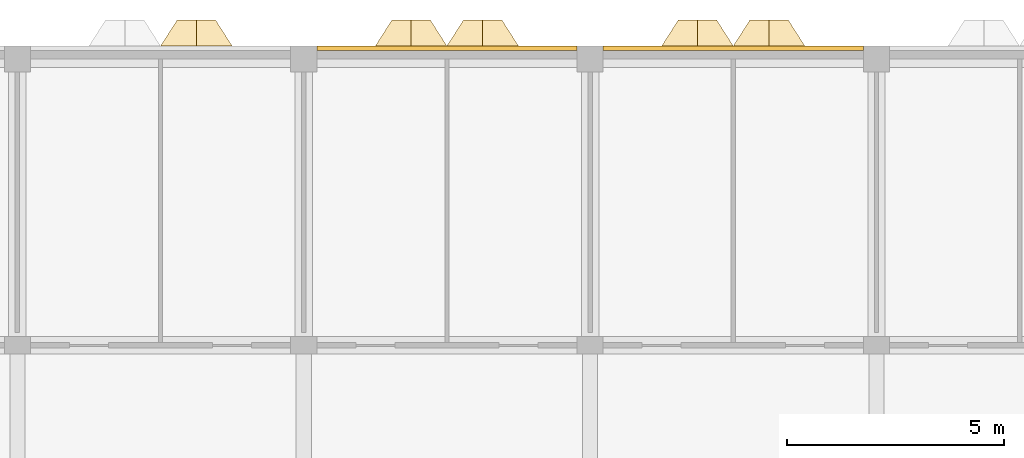
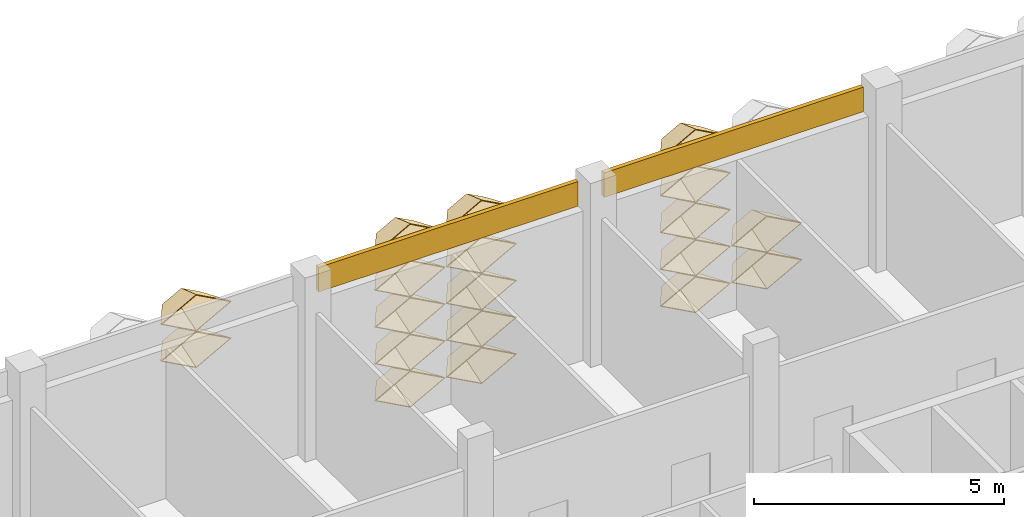
# One storey, part 80 of 87: 21 coverings.
"""IFC4 building model written with IfcOpenShell, lengths in metres."""

from ifc_helpers import new_model, entity, si_unit, direction, frame, frame_2d, origin, place, context, subcontext, project, spatial, rectangle, extrude, material, layer, layer_set, type_object, element, save


model = new_model("IFC4")

# Units and contexts
model_context = context("Model", 3, precision=1e-05, world=origin(), true_north=direction((0.0, 1.0)))
body_context = subcontext(model_context, "Body", "Model", "MODEL_VIEW")
ifc_project = project(units=[si_unit("LENGTHUNIT", "METRE"), si_unit("AREAUNIT", "SQUARE_METRE"), si_unit("VOLUMEUNIT", "CUBIC_METRE"), si_unit("PLANEANGLEUNIT", "RADIAN"), si_unit("MASSUNIT", "GRAM", prefix="KILO")], contexts=[model_context])

# Site, building, storey
site_placement = place(None, origin())
site = spatial("IfcSite", under=ifc_project, at=site_placement, CompositionType="ELEMENT")
building_placement = place(site_placement, origin())
building = spatial("IfcBuilding", under=site, at=building_placement, Name="Lantern Court Research Institute", CompositionType="ELEMENT")
storey_placement = place(building_placement, frame((0.0, 0.0, 5.39990234375)))
storey = spatial("IfcBuildingStorey", under=building, at=storey_placement, Name="L01", CompositionType="ELEMENT", Elevation=5.39990234375)

# Coverings
ifc_material_1 = material(Name="Aluminium composite panel with mineral wool insulation", Category="aluminium")
ifc_layer_1 = layer(ifc_material_1, 0.10009765625)
ifc_layer_set_1 = layer_set([ifc_layer_1], Name="Aluminium composite panel with mineral wool insulation")
covering_type_1 = type_object("IfcCoveringType", Name="Edge fascia panel 100 aluminium faced", PredefinedType="CLADDING", material=ifc_layer_set_1)
for number, where, z_axis, x_axis, name in (
    (1, (33.300048828125, 99.25, 3.650146484375), (0.0, 0.0, 1.0), (1.0, 0.0, 0.0), "Edge fascia V6N L01 05"),
    (2, (39.89990234375, 99.25, 3.650146484375), (0.0, 0.0, 1.0), (1.0, 0.0, 0.0), "Edge fascia V6N L01 06"),
):
    element("IfcCovering", number, at=place(storey_placement, frame(where, z_axis=z_axis, x_axis=x_axis)), inside=storey, type_object=covering_type_1, Name=name, PredefinedType="CLADDING", context=body_context, shape_type="SweptSolid", body=[
        extrude(rectangle(XDim=6.0, YDim=0.10009765625, at=frame_2d((3.0, 0.0))), origin(), (0.0, 0.0, 1.0), 0.599853515625),
    ])
ifc_material_2 = material(Name="Anodised aluminium", Category="aluminium")
ifc_layer_2 = layer(ifc_material_2, 0.01611328125)
ifc_layer_set_2 = layer_set([ifc_layer_2], Name="Anodised aluminium")
covering_type_2 = type_object("IfcCoveringType", Name="Fin cassette 1650 x 900 x 600 aluminium", PredefinedType="CLADDING", material=ifc_layer_set_2)
covering_1_placement = place(storey_placement, frame((35.47509765625, 99.300048828125, 0.4501953125), z_axis=(0.0, 1.0, 0.0), x_axis=(-1.0, 0.0, 0.0)))
cartesian_point_1 = entity("IfcCartesianPoint", [0.824951171875, 0.0])
cartesian_point_2 = entity("IfcCartesianPoint", [0.79150390625, 0.0])
cartesian_point_3 = entity("IfcCartesianPoint", [0.44189453125, 0.0])
cartesian_point_4 = entity("IfcCartesianPoint", [0.43359375, 0.0])
element("IfcCovering", 3, at=covering_1_placement, inside=storey, type_object=covering_type_2, Name="Fin cassette V6N-L01 1.22", PredefinedType="CLADDING", context=body_context, shape_type="SweptSolid", body=[
    entity("IfcExtrudedAreaSolidTapered", entity("IfcArbitraryProfileDefWithVoids", "AREA", None, entity("IfcPolyline", [cartesian_point_1, entity("IfcCartesianPoint", [0.0, 0.449951171875]), entity("IfcCartesianPoint", [-0.824951171875, 0.0]), entity("IfcCartesianPoint", [0.0, -0.449951171875]), cartesian_point_1]), [entity("IfcPolyline", [cartesian_point_2, entity("IfcCartesianPoint", [0.0, 0.431884765625]), entity("IfcCartesianPoint", [-0.79150390625, 0.0]), entity("IfcCartesianPoint", [0.0, -0.431884765625]), cartesian_point_2])]), entity("IfcAxis2Placement3D", entity("IfcCartesianPoint", [0.0, 0.0, 0.0])), entity("IfcDirection", [0.0, 0.0, 1.0]), 0.60009765625, entity("IfcArbitraryProfileDefWithVoids", "AREA", None, entity("IfcPolyline", [cartesian_point_3, entity("IfcCartesianPoint", [0.0, 0.240966796875]), entity("IfcCartesianPoint", [-0.44189453125, 0.0]), entity("IfcCartesianPoint", [0.0, -0.240966796875]), cartesian_point_3]), [entity("IfcPolyline", [cartesian_point_4, entity("IfcCartesianPoint", [0.0, 0.236572265625]), entity("IfcCartesianPoint", [-0.43359375, 0.0]), entity("IfcCartesianPoint", [0.0, -0.236572265625]), cartesian_point_4])])),
])
covering_2_placement = place(storey_placement, frame((37.125, 99.300048828125, 0.4501953125), z_axis=(0.0, 1.0, 0.0), x_axis=(-1.0, 0.0, 0.0)))
cartesian_point_5 = entity("IfcCartesianPoint", [0.824951171875, 0.0])
cartesian_point_6 = entity("IfcCartesianPoint", [0.79150390625, 0.0])
cartesian_point_7 = entity("IfcCartesianPoint", [0.44189453125, 0.0])
cartesian_point_8 = entity("IfcCartesianPoint", [0.43359375, 0.0])
element("IfcCovering", 4, at=covering_2_placement, inside=storey, type_object=covering_type_2, Name="Fin cassette V6N-L01 1.23", PredefinedType="CLADDING", context=body_context, shape_type="SweptSolid", body=[
    entity("IfcExtrudedAreaSolidTapered", entity("IfcArbitraryProfileDefWithVoids", "AREA", None, entity("IfcPolyline", [cartesian_point_5, entity("IfcCartesianPoint", [0.0, 0.449951171875]), entity("IfcCartesianPoint", [-0.824951171875, 0.0]), entity("IfcCartesianPoint", [0.0, -0.449951171875]), cartesian_point_5]), [entity("IfcPolyline", [cartesian_point_6, entity("IfcCartesianPoint", [0.0, 0.431884765625]), entity("IfcCartesianPoint", [-0.79150390625, 0.0]), entity("IfcCartesianPoint", [0.0, -0.431884765625]), cartesian_point_6])]), entity("IfcAxis2Placement3D", entity("IfcCartesianPoint", [0.0, 0.0, 0.0])), entity("IfcDirection", [0.0, 0.0, 1.0]), 0.60009765625, entity("IfcArbitraryProfileDefWithVoids", "AREA", None, entity("IfcPolyline", [cartesian_point_7, entity("IfcCartesianPoint", [0.0, 0.240966796875]), entity("IfcCartesianPoint", [-0.44189453125, 0.0]), entity("IfcCartesianPoint", [0.0, -0.240966796875]), cartesian_point_7]), [entity("IfcPolyline", [cartesian_point_8, entity("IfcCartesianPoint", [0.0, 0.236572265625]), entity("IfcCartesianPoint", [-0.43359375, 0.0]), entity("IfcCartesianPoint", [0.0, -0.236572265625]), cartesian_point_8])])),
])
covering_3_placement = place(storey_placement, frame((42.074951171875, 99.300048828125, 0.4501953125), z_axis=(0.0, 1.0, 0.0), x_axis=(-1.0, 0.0, 0.0)))
cartesian_point_9 = entity("IfcCartesianPoint", [0.824951171875, 0.0])
cartesian_point_10 = entity("IfcCartesianPoint", [0.79150390625, 0.0])
cartesian_point_11 = entity("IfcCartesianPoint", [0.44189453125, 0.0])
cartesian_point_12 = entity("IfcCartesianPoint", [0.43359375, 0.0])
element("IfcCovering", 5, at=covering_3_placement, inside=storey, type_object=covering_type_2, Name="Fin cassette V6N-L01 1.26", PredefinedType="CLADDING", context=body_context, shape_type="SweptSolid", body=[
    entity("IfcExtrudedAreaSolidTapered", entity("IfcArbitraryProfileDefWithVoids", "AREA", None, entity("IfcPolyline", [cartesian_point_9, entity("IfcCartesianPoint", [0.0, 0.449951171875]), entity("IfcCartesianPoint", [-0.824951171875, 0.0]), entity("IfcCartesianPoint", [0.0, -0.449951171875]), cartesian_point_9]), [entity("IfcPolyline", [cartesian_point_10, entity("IfcCartesianPoint", [0.0, 0.431884765625]), entity("IfcCartesianPoint", [-0.79150390625, 0.0]), entity("IfcCartesianPoint", [0.0, -0.431884765625]), cartesian_point_10])]), entity("IfcAxis2Placement3D", entity("IfcCartesianPoint", [0.0, 0.0, 0.0])), entity("IfcDirection", [0.0, 0.0, 1.0]), 0.60009765625, entity("IfcArbitraryProfileDefWithVoids", "AREA", None, entity("IfcPolyline", [cartesian_point_11, entity("IfcCartesianPoint", [0.0, 0.240966796875]), entity("IfcCartesianPoint", [-0.44189453125, 0.0]), entity("IfcCartesianPoint", [0.0, -0.240966796875]), cartesian_point_11]), [entity("IfcPolyline", [cartesian_point_12, entity("IfcCartesianPoint", [0.0, 0.236572265625]), entity("IfcCartesianPoint", [-0.43359375, 0.0]), entity("IfcCartesianPoint", [0.0, -0.236572265625]), cartesian_point_12])])),
])
covering_4_placement = place(storey_placement, frame((43.72509765625, 99.300048828125, 0.4501953125), z_axis=(0.0, 1.0, 0.0), x_axis=(-1.0, 0.0, 0.0)))
cartesian_point_13 = entity("IfcCartesianPoint", [0.824951171875, 0.0])
cartesian_point_14 = entity("IfcCartesianPoint", [0.79150390625, 0.0])
cartesian_point_15 = entity("IfcCartesianPoint", [0.44189453125, 0.0])
cartesian_point_16 = entity("IfcCartesianPoint", [0.43359375, 0.0])
element("IfcCovering", 6, at=covering_4_placement, inside=storey, type_object=covering_type_2, Name="Fin cassette V6N-L01 1.27", PredefinedType="CLADDING", context=body_context, shape_type="SweptSolid", body=[
    entity("IfcExtrudedAreaSolidTapered", entity("IfcArbitraryProfileDefWithVoids", "AREA", None, entity("IfcPolyline", [cartesian_point_13, entity("IfcCartesianPoint", [0.0, 0.449951171875]), entity("IfcCartesianPoint", [-0.824951171875, 0.0]), entity("IfcCartesianPoint", [0.0, -0.449951171875]), cartesian_point_13]), [entity("IfcPolyline", [cartesian_point_14, entity("IfcCartesianPoint", [0.0, 0.431884765625]), entity("IfcCartesianPoint", [-0.79150390625, 0.0]), entity("IfcCartesianPoint", [0.0, -0.431884765625]), cartesian_point_14])]), entity("IfcAxis2Placement3D", entity("IfcCartesianPoint", [0.0, 0.0, 0.0])), entity("IfcDirection", [0.0, 0.0, 1.0]), 0.60009765625, entity("IfcArbitraryProfileDefWithVoids", "AREA", None, entity("IfcPolyline", [cartesian_point_15, entity("IfcCartesianPoint", [0.0, 0.240966796875]), entity("IfcCartesianPoint", [-0.44189453125, 0.0]), entity("IfcCartesianPoint", [0.0, -0.240966796875]), cartesian_point_15]), [entity("IfcPolyline", [cartesian_point_16, entity("IfcCartesianPoint", [0.0, 0.236572265625]), entity("IfcCartesianPoint", [-0.43359375, 0.0]), entity("IfcCartesianPoint", [0.0, -0.236572265625]), cartesian_point_16])])),
])
covering_5_placement = place(storey_placement, frame((35.47509765625, 99.300048828125, 1.35009765625), z_axis=(0.0, 1.0, 0.0), x_axis=(-1.0, 0.0, 0.0)))
cartesian_point_17 = entity("IfcCartesianPoint", [0.824951171875, 0.0])
cartesian_point_18 = entity("IfcCartesianPoint", [0.79150390625, 0.0])
cartesian_point_19 = entity("IfcCartesianPoint", [0.44189453125, 0.0])
cartesian_point_20 = entity("IfcCartesianPoint", [0.43359375, 0.0])
element("IfcCovering", 7, at=covering_5_placement, inside=storey, type_object=covering_type_2, Name="Fin cassette V6N-L01 2.22", PredefinedType="CLADDING", context=body_context, shape_type="SweptSolid", body=[
    entity("IfcExtrudedAreaSolidTapered", entity("IfcArbitraryProfileDefWithVoids", "AREA", None, entity("IfcPolyline", [cartesian_point_17, entity("IfcCartesianPoint", [0.0, 0.449951171875]), entity("IfcCartesianPoint", [-0.824951171875, 0.0]), entity("IfcCartesianPoint", [0.0, -0.449951171875]), cartesian_point_17]), [entity("IfcPolyline", [cartesian_point_18, entity("IfcCartesianPoint", [0.0, 0.431884765625]), entity("IfcCartesianPoint", [-0.79150390625, 0.0]), entity("IfcCartesianPoint", [0.0, -0.431884765625]), cartesian_point_18])]), entity("IfcAxis2Placement3D", entity("IfcCartesianPoint", [0.0, 0.0, 0.0])), entity("IfcDirection", [0.0, 0.0, 1.0]), 0.60009765625, entity("IfcArbitraryProfileDefWithVoids", "AREA", None, entity("IfcPolyline", [cartesian_point_19, entity("IfcCartesianPoint", [0.0, 0.240966796875]), entity("IfcCartesianPoint", [-0.44189453125, 0.0]), entity("IfcCartesianPoint", [0.0, -0.240966796875]), cartesian_point_19]), [entity("IfcPolyline", [cartesian_point_20, entity("IfcCartesianPoint", [0.0, 0.236572265625]), entity("IfcCartesianPoint", [-0.43359375, 0.0]), entity("IfcCartesianPoint", [0.0, -0.236572265625]), cartesian_point_20])])),
])
covering_6_placement = place(storey_placement, frame((37.125, 99.300048828125, 1.35009765625), z_axis=(0.0, 1.0, 0.0), x_axis=(-1.0, 0.0, 0.0)))
cartesian_point_21 = entity("IfcCartesianPoint", [0.824951171875, 0.0])
cartesian_point_22 = entity("IfcCartesianPoint", [0.79150390625, 0.0])
cartesian_point_23 = entity("IfcCartesianPoint", [0.44189453125, 0.0])
cartesian_point_24 = entity("IfcCartesianPoint", [0.43359375, 0.0])
element("IfcCovering", 8, at=covering_6_placement, inside=storey, type_object=covering_type_2, Name="Fin cassette V6N-L01 2.23", PredefinedType="CLADDING", context=body_context, shape_type="SweptSolid", body=[
    entity("IfcExtrudedAreaSolidTapered", entity("IfcArbitraryProfileDefWithVoids", "AREA", None, entity("IfcPolyline", [cartesian_point_21, entity("IfcCartesianPoint", [0.0, 0.449951171875]), entity("IfcCartesianPoint", [-0.824951171875, 0.0]), entity("IfcCartesianPoint", [0.0, -0.449951171875]), cartesian_point_21]), [entity("IfcPolyline", [cartesian_point_22, entity("IfcCartesianPoint", [0.0, 0.431884765625]), entity("IfcCartesianPoint", [-0.79150390625, 0.0]), entity("IfcCartesianPoint", [0.0, -0.431884765625]), cartesian_point_22])]), entity("IfcAxis2Placement3D", entity("IfcCartesianPoint", [0.0, 0.0, 0.0])), entity("IfcDirection", [0.0, 0.0, 1.0]), 0.60009765625, entity("IfcArbitraryProfileDefWithVoids", "AREA", None, entity("IfcPolyline", [cartesian_point_23, entity("IfcCartesianPoint", [0.0, 0.240966796875]), entity("IfcCartesianPoint", [-0.44189453125, 0.0]), entity("IfcCartesianPoint", [0.0, -0.240966796875]), cartesian_point_23]), [entity("IfcPolyline", [cartesian_point_24, entity("IfcCartesianPoint", [0.0, 0.236572265625]), entity("IfcCartesianPoint", [-0.43359375, 0.0]), entity("IfcCartesianPoint", [0.0, -0.236572265625]), cartesian_point_24])])),
])
covering_7_placement = place(storey_placement, frame((42.074951171875, 99.300048828125, 1.35009765625), z_axis=(0.0, 1.0, 0.0), x_axis=(-1.0, 0.0, 0.0)))
cartesian_point_25 = entity("IfcCartesianPoint", [0.824951171875, 0.0])
cartesian_point_26 = entity("IfcCartesianPoint", [0.79150390625, 0.0])
cartesian_point_27 = entity("IfcCartesianPoint", [0.44189453125, 0.0])
cartesian_point_28 = entity("IfcCartesianPoint", [0.43359375, 0.0])
element("IfcCovering", 9, at=covering_7_placement, inside=storey, type_object=covering_type_2, Name="Fin cassette V6N-L01 2.26", PredefinedType="CLADDING", context=body_context, shape_type="SweptSolid", body=[
    entity("IfcExtrudedAreaSolidTapered", entity("IfcArbitraryProfileDefWithVoids", "AREA", None, entity("IfcPolyline", [cartesian_point_25, entity("IfcCartesianPoint", [0.0, 0.449951171875]), entity("IfcCartesianPoint", [-0.824951171875, 0.0]), entity("IfcCartesianPoint", [0.0, -0.449951171875]), cartesian_point_25]), [entity("IfcPolyline", [cartesian_point_26, entity("IfcCartesianPoint", [0.0, 0.431884765625]), entity("IfcCartesianPoint", [-0.79150390625, 0.0]), entity("IfcCartesianPoint", [0.0, -0.431884765625]), cartesian_point_26])]), entity("IfcAxis2Placement3D", entity("IfcCartesianPoint", [0.0, 0.0, 0.0])), entity("IfcDirection", [0.0, 0.0, 1.0]), 0.60009765625, entity("IfcArbitraryProfileDefWithVoids", "AREA", None, entity("IfcPolyline", [cartesian_point_27, entity("IfcCartesianPoint", [0.0, 0.240966796875]), entity("IfcCartesianPoint", [-0.44189453125, 0.0]), entity("IfcCartesianPoint", [0.0, -0.240966796875]), cartesian_point_27]), [entity("IfcPolyline", [cartesian_point_28, entity("IfcCartesianPoint", [0.0, 0.236572265625]), entity("IfcCartesianPoint", [-0.43359375, 0.0]), entity("IfcCartesianPoint", [0.0, -0.236572265625]), cartesian_point_28])])),
])
covering_8_placement = place(storey_placement, frame((43.72509765625, 99.300048828125, 1.35009765625), z_axis=(0.0, 1.0, 0.0), x_axis=(-1.0, 0.0, 0.0)))
cartesian_point_29 = entity("IfcCartesianPoint", [0.824951171875, 0.0])
cartesian_point_30 = entity("IfcCartesianPoint", [0.79150390625, 0.0])
cartesian_point_31 = entity("IfcCartesianPoint", [0.44189453125, 0.0])
cartesian_point_32 = entity("IfcCartesianPoint", [0.43359375, 0.0])
element("IfcCovering", 10, at=covering_8_placement, inside=storey, type_object=covering_type_2, Name="Fin cassette V6N-L01 2.27", PredefinedType="CLADDING", context=body_context, shape_type="SweptSolid", body=[
    entity("IfcExtrudedAreaSolidTapered", entity("IfcArbitraryProfileDefWithVoids", "AREA", None, entity("IfcPolyline", [cartesian_point_29, entity("IfcCartesianPoint", [0.0, 0.449951171875]), entity("IfcCartesianPoint", [-0.824951171875, 0.0]), entity("IfcCartesianPoint", [0.0, -0.449951171875]), cartesian_point_29]), [entity("IfcPolyline", [cartesian_point_30, entity("IfcCartesianPoint", [0.0, 0.431884765625]), entity("IfcCartesianPoint", [-0.79150390625, 0.0]), entity("IfcCartesianPoint", [0.0, -0.431884765625]), cartesian_point_30])]), entity("IfcAxis2Placement3D", entity("IfcCartesianPoint", [0.0, 0.0, 0.0])), entity("IfcDirection", [0.0, 0.0, 1.0]), 0.60009765625, entity("IfcArbitraryProfileDefWithVoids", "AREA", None, entity("IfcPolyline", [cartesian_point_31, entity("IfcCartesianPoint", [0.0, 0.240966796875]), entity("IfcCartesianPoint", [-0.44189453125, 0.0]), entity("IfcCartesianPoint", [0.0, -0.240966796875]), cartesian_point_31]), [entity("IfcPolyline", [cartesian_point_32, entity("IfcCartesianPoint", [0.0, 0.236572265625]), entity("IfcCartesianPoint", [-0.43359375, 0.0]), entity("IfcCartesianPoint", [0.0, -0.236572265625]), cartesian_point_32])])),
])
covering_9_placement = place(storey_placement, frame((35.47509765625, 99.300048828125, 2.25), z_axis=(0.0, 1.0, 0.0), x_axis=(-1.0, 0.0, 0.0)))
cartesian_point_33 = entity("IfcCartesianPoint", [0.824951171875, 0.0])
cartesian_point_34 = entity("IfcCartesianPoint", [0.79150390625, 0.0])
cartesian_point_35 = entity("IfcCartesianPoint", [0.44189453125, 0.0])
cartesian_point_36 = entity("IfcCartesianPoint", [0.43359375, 0.0])
element("IfcCovering", 11, at=covering_9_placement, inside=storey, type_object=covering_type_2, Name="Fin cassette V6N-L01 3.22", PredefinedType="CLADDING", context=body_context, shape_type="SweptSolid", body=[
    entity("IfcExtrudedAreaSolidTapered", entity("IfcArbitraryProfileDefWithVoids", "AREA", None, entity("IfcPolyline", [cartesian_point_33, entity("IfcCartesianPoint", [0.0, 0.449951171875]), entity("IfcCartesianPoint", [-0.824951171875, 0.0]), entity("IfcCartesianPoint", [0.0, -0.449951171875]), cartesian_point_33]), [entity("IfcPolyline", [cartesian_point_34, entity("IfcCartesianPoint", [0.0, 0.431884765625]), entity("IfcCartesianPoint", [-0.79150390625, 0.0]), entity("IfcCartesianPoint", [0.0, -0.431884765625]), cartesian_point_34])]), entity("IfcAxis2Placement3D", entity("IfcCartesianPoint", [0.0, 0.0, 0.0])), entity("IfcDirection", [0.0, 0.0, 1.0]), 0.60009765625, entity("IfcArbitraryProfileDefWithVoids", "AREA", None, entity("IfcPolyline", [cartesian_point_35, entity("IfcCartesianPoint", [0.0, 0.240966796875]), entity("IfcCartesianPoint", [-0.44189453125, 0.0]), entity("IfcCartesianPoint", [0.0, -0.240966796875]), cartesian_point_35]), [entity("IfcPolyline", [cartesian_point_36, entity("IfcCartesianPoint", [0.0, 0.236572265625]), entity("IfcCartesianPoint", [-0.43359375, 0.0]), entity("IfcCartesianPoint", [0.0, -0.236572265625]), cartesian_point_36])])),
])
covering_10_placement = place(storey_placement, frame((37.125, 99.300048828125, 2.25), z_axis=(0.0, 1.0, 0.0), x_axis=(-1.0, 0.0, 0.0)))
cartesian_point_37 = entity("IfcCartesianPoint", [0.824951171875, 0.0])
cartesian_point_38 = entity("IfcCartesianPoint", [0.79150390625, 0.0])
cartesian_point_39 = entity("IfcCartesianPoint", [0.44189453125, 0.0])
cartesian_point_40 = entity("IfcCartesianPoint", [0.43359375, 0.0])
element("IfcCovering", 12, at=covering_10_placement, inside=storey, type_object=covering_type_2, Name="Fin cassette V6N-L01 3.23", PredefinedType="CLADDING", context=body_context, shape_type="SweptSolid", body=[
    entity("IfcExtrudedAreaSolidTapered", entity("IfcArbitraryProfileDefWithVoids", "AREA", None, entity("IfcPolyline", [cartesian_point_37, entity("IfcCartesianPoint", [0.0, 0.449951171875]), entity("IfcCartesianPoint", [-0.824951171875, 0.0]), entity("IfcCartesianPoint", [0.0, -0.449951171875]), cartesian_point_37]), [entity("IfcPolyline", [cartesian_point_38, entity("IfcCartesianPoint", [0.0, 0.431884765625]), entity("IfcCartesianPoint", [-0.79150390625, 0.0]), entity("IfcCartesianPoint", [0.0, -0.431884765625]), cartesian_point_38])]), entity("IfcAxis2Placement3D", entity("IfcCartesianPoint", [0.0, 0.0, 0.0])), entity("IfcDirection", [0.0, 0.0, 1.0]), 0.60009765625, entity("IfcArbitraryProfileDefWithVoids", "AREA", None, entity("IfcPolyline", [cartesian_point_39, entity("IfcCartesianPoint", [0.0, 0.240966796875]), entity("IfcCartesianPoint", [-0.44189453125, 0.0]), entity("IfcCartesianPoint", [0.0, -0.240966796875]), cartesian_point_39]), [entity("IfcPolyline", [cartesian_point_40, entity("IfcCartesianPoint", [0.0, 0.236572265625]), entity("IfcCartesianPoint", [-0.43359375, 0.0]), entity("IfcCartesianPoint", [0.0, -0.236572265625]), cartesian_point_40])])),
])
covering_11_placement = place(storey_placement, frame((42.074951171875, 99.300048828125, 2.25), z_axis=(0.0, 1.0, 0.0), x_axis=(-1.0, 0.0, 0.0)))
cartesian_point_41 = entity("IfcCartesianPoint", [0.824951171875, 0.0])
cartesian_point_42 = entity("IfcCartesianPoint", [0.79150390625, 0.0])
cartesian_point_43 = entity("IfcCartesianPoint", [0.44189453125, 0.0])
cartesian_point_44 = entity("IfcCartesianPoint", [0.43359375, 0.0])
element("IfcCovering", 13, at=covering_11_placement, inside=storey, type_object=covering_type_2, Name="Fin cassette V6N-L01 3.26", PredefinedType="CLADDING", context=body_context, shape_type="SweptSolid", body=[
    entity("IfcExtrudedAreaSolidTapered", entity("IfcArbitraryProfileDefWithVoids", "AREA", None, entity("IfcPolyline", [cartesian_point_41, entity("IfcCartesianPoint", [0.0, 0.449951171875]), entity("IfcCartesianPoint", [-0.824951171875, 0.0]), entity("IfcCartesianPoint", [0.0, -0.449951171875]), cartesian_point_41]), [entity("IfcPolyline", [cartesian_point_42, entity("IfcCartesianPoint", [0.0, 0.431884765625]), entity("IfcCartesianPoint", [-0.79150390625, 0.0]), entity("IfcCartesianPoint", [0.0, -0.431884765625]), cartesian_point_42])]), entity("IfcAxis2Placement3D", entity("IfcCartesianPoint", [0.0, 0.0, 0.0])), entity("IfcDirection", [0.0, 0.0, 1.0]), 0.60009765625, entity("IfcArbitraryProfileDefWithVoids", "AREA", None, entity("IfcPolyline", [cartesian_point_43, entity("IfcCartesianPoint", [0.0, 0.240966796875]), entity("IfcCartesianPoint", [-0.44189453125, 0.0]), entity("IfcCartesianPoint", [0.0, -0.240966796875]), cartesian_point_43]), [entity("IfcPolyline", [cartesian_point_44, entity("IfcCartesianPoint", [0.0, 0.236572265625]), entity("IfcCartesianPoint", [-0.43359375, 0.0]), entity("IfcCartesianPoint", [0.0, -0.236572265625]), cartesian_point_44])])),
])
covering_12_placement = place(storey_placement, frame((30.52490234375, 99.300048828125, 3.150146484375), z_axis=(0.0, 1.0, 0.0), x_axis=(-1.0, 0.0, 0.0)))
cartesian_point_45 = entity("IfcCartesianPoint", [0.824951171875, 0.0])
cartesian_point_46 = entity("IfcCartesianPoint", [0.79150390625, 0.0])
cartesian_point_47 = entity("IfcCartesianPoint", [0.44189453125, 0.0])
cartesian_point_48 = entity("IfcCartesianPoint", [0.43359375, 0.0])
element("IfcCovering", 14, at=covering_12_placement, inside=storey, type_object=covering_type_2, Name="Fin cassette V6N-L01 4.19", PredefinedType="CLADDING", context=body_context, shape_type="SweptSolid", body=[
    entity("IfcExtrudedAreaSolidTapered", entity("IfcArbitraryProfileDefWithVoids", "AREA", None, entity("IfcPolyline", [cartesian_point_45, entity("IfcCartesianPoint", [0.0, 0.449951171875]), entity("IfcCartesianPoint", [-0.824951171875, 0.0]), entity("IfcCartesianPoint", [0.0, -0.449951171875]), cartesian_point_45]), [entity("IfcPolyline", [cartesian_point_46, entity("IfcCartesianPoint", [0.0, 0.431884765625]), entity("IfcCartesianPoint", [-0.79150390625, 0.0]), entity("IfcCartesianPoint", [0.0, -0.431884765625]), cartesian_point_46])]), entity("IfcAxis2Placement3D", entity("IfcCartesianPoint", [0.0, 0.0, 0.0])), entity("IfcDirection", [0.0, 0.0, 1.0]), 0.60009765625, entity("IfcArbitraryProfileDefWithVoids", "AREA", None, entity("IfcPolyline", [cartesian_point_47, entity("IfcCartesianPoint", [0.0, 0.240966796875]), entity("IfcCartesianPoint", [-0.44189453125, 0.0]), entity("IfcCartesianPoint", [0.0, -0.240966796875]), cartesian_point_47]), [entity("IfcPolyline", [cartesian_point_48, entity("IfcCartesianPoint", [0.0, 0.236572265625]), entity("IfcCartesianPoint", [-0.43359375, 0.0]), entity("IfcCartesianPoint", [0.0, -0.236572265625]), cartesian_point_48])])),
])
covering_13_placement = place(storey_placement, frame((35.47509765625, 99.300048828125, 3.150146484375), z_axis=(0.0, 1.0, 0.0), x_axis=(-1.0, 0.0, 0.0)))
cartesian_point_49 = entity("IfcCartesianPoint", [0.824951171875, 0.0])
cartesian_point_50 = entity("IfcCartesianPoint", [0.79150390625, 0.0])
cartesian_point_51 = entity("IfcCartesianPoint", [0.44189453125, 0.0])
cartesian_point_52 = entity("IfcCartesianPoint", [0.43359375, 0.0])
element("IfcCovering", 15, at=covering_13_placement, inside=storey, type_object=covering_type_2, Name="Fin cassette V6N-L01 4.22", PredefinedType="CLADDING", context=body_context, shape_type="SweptSolid", body=[
    entity("IfcExtrudedAreaSolidTapered", entity("IfcArbitraryProfileDefWithVoids", "AREA", None, entity("IfcPolyline", [cartesian_point_49, entity("IfcCartesianPoint", [0.0, 0.449951171875]), entity("IfcCartesianPoint", [-0.824951171875, 0.0]), entity("IfcCartesianPoint", [0.0, -0.449951171875]), cartesian_point_49]), [entity("IfcPolyline", [cartesian_point_50, entity("IfcCartesianPoint", [0.0, 0.431884765625]), entity("IfcCartesianPoint", [-0.79150390625, 0.0]), entity("IfcCartesianPoint", [0.0, -0.431884765625]), cartesian_point_50])]), entity("IfcAxis2Placement3D", entity("IfcCartesianPoint", [0.0, 0.0, 0.0])), entity("IfcDirection", [0.0, 0.0, 1.0]), 0.60009765625, entity("IfcArbitraryProfileDefWithVoids", "AREA", None, entity("IfcPolyline", [cartesian_point_51, entity("IfcCartesianPoint", [0.0, 0.240966796875]), entity("IfcCartesianPoint", [-0.44189453125, 0.0]), entity("IfcCartesianPoint", [0.0, -0.240966796875]), cartesian_point_51]), [entity("IfcPolyline", [cartesian_point_52, entity("IfcCartesianPoint", [0.0, 0.236572265625]), entity("IfcCartesianPoint", [-0.43359375, 0.0]), entity("IfcCartesianPoint", [0.0, -0.236572265625]), cartesian_point_52])])),
])
covering_14_placement = place(storey_placement, frame((37.125, 99.300048828125, 3.150146484375), z_axis=(0.0, 1.0, 0.0), x_axis=(-1.0, 0.0, 0.0)))
cartesian_point_53 = entity("IfcCartesianPoint", [0.824951171875, 0.0])
cartesian_point_54 = entity("IfcCartesianPoint", [0.79150390625, 0.0])
cartesian_point_55 = entity("IfcCartesianPoint", [0.44189453125, 0.0])
cartesian_point_56 = entity("IfcCartesianPoint", [0.43359375, 0.0])
element("IfcCovering", 16, at=covering_14_placement, inside=storey, type_object=covering_type_2, Name="Fin cassette V6N-L01 4.23", PredefinedType="CLADDING", context=body_context, shape_type="SweptSolid", body=[
    entity("IfcExtrudedAreaSolidTapered", entity("IfcArbitraryProfileDefWithVoids", "AREA", None, entity("IfcPolyline", [cartesian_point_53, entity("IfcCartesianPoint", [0.0, 0.449951171875]), entity("IfcCartesianPoint", [-0.824951171875, 0.0]), entity("IfcCartesianPoint", [0.0, -0.449951171875]), cartesian_point_53]), [entity("IfcPolyline", [cartesian_point_54, entity("IfcCartesianPoint", [0.0, 0.431884765625]), entity("IfcCartesianPoint", [-0.79150390625, 0.0]), entity("IfcCartesianPoint", [0.0, -0.431884765625]), cartesian_point_54])]), entity("IfcAxis2Placement3D", entity("IfcCartesianPoint", [0.0, 0.0, 0.0])), entity("IfcDirection", [0.0, 0.0, 1.0]), 0.60009765625, entity("IfcArbitraryProfileDefWithVoids", "AREA", None, entity("IfcPolyline", [cartesian_point_55, entity("IfcCartesianPoint", [0.0, 0.240966796875]), entity("IfcCartesianPoint", [-0.44189453125, 0.0]), entity("IfcCartesianPoint", [0.0, -0.240966796875]), cartesian_point_55]), [entity("IfcPolyline", [cartesian_point_56, entity("IfcCartesianPoint", [0.0, 0.236572265625]), entity("IfcCartesianPoint", [-0.43359375, 0.0]), entity("IfcCartesianPoint", [0.0, -0.236572265625]), cartesian_point_56])])),
])
covering_15_placement = place(storey_placement, frame((42.074951171875, 99.300048828125, 3.150146484375), z_axis=(0.0, 1.0, 0.0), x_axis=(-1.0, 0.0, 0.0)))
cartesian_point_57 = entity("IfcCartesianPoint", [0.824951171875, 0.0])
cartesian_point_58 = entity("IfcCartesianPoint", [0.79150390625, 0.0])
cartesian_point_59 = entity("IfcCartesianPoint", [0.44189453125, 0.0])
cartesian_point_60 = entity("IfcCartesianPoint", [0.43359375, 0.0])
element("IfcCovering", 17, at=covering_15_placement, inside=storey, type_object=covering_type_2, Name="Fin cassette V6N-L01 4.26", PredefinedType="CLADDING", context=body_context, shape_type="SweptSolid", body=[
    entity("IfcExtrudedAreaSolidTapered", entity("IfcArbitraryProfileDefWithVoids", "AREA", None, entity("IfcPolyline", [cartesian_point_57, entity("IfcCartesianPoint", [0.0, 0.449951171875]), entity("IfcCartesianPoint", [-0.824951171875, 0.0]), entity("IfcCartesianPoint", [0.0, -0.449951171875]), cartesian_point_57]), [entity("IfcPolyline", [cartesian_point_58, entity("IfcCartesianPoint", [0.0, 0.431884765625]), entity("IfcCartesianPoint", [-0.79150390625, 0.0]), entity("IfcCartesianPoint", [0.0, -0.431884765625]), cartesian_point_58])]), entity("IfcAxis2Placement3D", entity("IfcCartesianPoint", [0.0, 0.0, 0.0])), entity("IfcDirection", [0.0, 0.0, 1.0]), 0.60009765625, entity("IfcArbitraryProfileDefWithVoids", "AREA", None, entity("IfcPolyline", [cartesian_point_59, entity("IfcCartesianPoint", [0.0, 0.240966796875]), entity("IfcCartesianPoint", [-0.44189453125, 0.0]), entity("IfcCartesianPoint", [0.0, -0.240966796875]), cartesian_point_59]), [entity("IfcPolyline", [cartesian_point_60, entity("IfcCartesianPoint", [0.0, 0.236572265625]), entity("IfcCartesianPoint", [-0.43359375, 0.0]), entity("IfcCartesianPoint", [0.0, -0.236572265625]), cartesian_point_60])])),
])
covering_16_placement = place(storey_placement, frame((30.52490234375, 99.300048828125, 4.050048828125), z_axis=(0.0, 1.0, 0.0), x_axis=(-1.0, 0.0, 0.0)))
cartesian_point_61 = entity("IfcCartesianPoint", [0.824951171875, 0.0])
cartesian_point_62 = entity("IfcCartesianPoint", [0.79150390625, 0.0])
cartesian_point_63 = entity("IfcCartesianPoint", [0.44189453125, 0.0])
cartesian_point_64 = entity("IfcCartesianPoint", [0.43359375, 0.0])
element("IfcCovering", 18, at=covering_16_placement, inside=storey, type_object=covering_type_2, Name="Fin cassette V6N-L01 5.19", PredefinedType="CLADDING", context=body_context, shape_type="SweptSolid", body=[
    entity("IfcExtrudedAreaSolidTapered", entity("IfcArbitraryProfileDefWithVoids", "AREA", None, entity("IfcPolyline", [cartesian_point_61, entity("IfcCartesianPoint", [0.0, 0.449951171875]), entity("IfcCartesianPoint", [-0.824951171875, 0.0]), entity("IfcCartesianPoint", [0.0, -0.449951171875]), cartesian_point_61]), [entity("IfcPolyline", [cartesian_point_62, entity("IfcCartesianPoint", [0.0, 0.431884765625]), entity("IfcCartesianPoint", [-0.79150390625, 0.0]), entity("IfcCartesianPoint", [0.0, -0.431884765625]), cartesian_point_62])]), entity("IfcAxis2Placement3D", entity("IfcCartesianPoint", [0.0, 0.0, 0.0])), entity("IfcDirection", [0.0, 0.0, 1.0]), 0.60009765625, entity("IfcArbitraryProfileDefWithVoids", "AREA", None, entity("IfcPolyline", [cartesian_point_63, entity("IfcCartesianPoint", [0.0, 0.240966796875]), entity("IfcCartesianPoint", [-0.44189453125, 0.0]), entity("IfcCartesianPoint", [0.0, -0.240966796875]), cartesian_point_63]), [entity("IfcPolyline", [cartesian_point_64, entity("IfcCartesianPoint", [0.0, 0.236572265625]), entity("IfcCartesianPoint", [-0.43359375, 0.0]), entity("IfcCartesianPoint", [0.0, -0.236572265625]), cartesian_point_64])])),
])
covering_17_placement = place(storey_placement, frame((35.47509765625, 99.300048828125, 4.050048828125), z_axis=(0.0, 1.0, 0.0), x_axis=(-1.0, 0.0, 0.0)))
cartesian_point_65 = entity("IfcCartesianPoint", [0.824951171875, 0.0])
cartesian_point_66 = entity("IfcCartesianPoint", [0.79150390625, 0.0])
cartesian_point_67 = entity("IfcCartesianPoint", [0.44189453125, 0.0])
cartesian_point_68 = entity("IfcCartesianPoint", [0.43359375, 0.0])
element("IfcCovering", 19, at=covering_17_placement, inside=storey, type_object=covering_type_2, Name="Fin cassette V6N-L01 5.22", PredefinedType="CLADDING", context=body_context, shape_type="SweptSolid", body=[
    entity("IfcExtrudedAreaSolidTapered", entity("IfcArbitraryProfileDefWithVoids", "AREA", None, entity("IfcPolyline", [cartesian_point_65, entity("IfcCartesianPoint", [0.0, 0.449951171875]), entity("IfcCartesianPoint", [-0.824951171875, 0.0]), entity("IfcCartesianPoint", [0.0, -0.449951171875]), cartesian_point_65]), [entity("IfcPolyline", [cartesian_point_66, entity("IfcCartesianPoint", [0.0, 0.431884765625]), entity("IfcCartesianPoint", [-0.79150390625, 0.0]), entity("IfcCartesianPoint", [0.0, -0.431884765625]), cartesian_point_66])]), entity("IfcAxis2Placement3D", entity("IfcCartesianPoint", [0.0, 0.0, 0.0])), entity("IfcDirection", [0.0, 0.0, 1.0]), 0.60009765625, entity("IfcArbitraryProfileDefWithVoids", "AREA", None, entity("IfcPolyline", [cartesian_point_67, entity("IfcCartesianPoint", [0.0, 0.240966796875]), entity("IfcCartesianPoint", [-0.44189453125, 0.0]), entity("IfcCartesianPoint", [0.0, -0.240966796875]), cartesian_point_67]), [entity("IfcPolyline", [cartesian_point_68, entity("IfcCartesianPoint", [0.0, 0.236572265625]), entity("IfcCartesianPoint", [-0.43359375, 0.0]), entity("IfcCartesianPoint", [0.0, -0.236572265625]), cartesian_point_68])])),
])
covering_18_placement = place(storey_placement, frame((37.125, 99.300048828125, 4.050048828125), z_axis=(0.0, 1.0, 0.0), x_axis=(-1.0, 0.0, 0.0)))
cartesian_point_69 = entity("IfcCartesianPoint", [0.824951171875, 0.0])
cartesian_point_70 = entity("IfcCartesianPoint", [0.79150390625, 0.0])
cartesian_point_71 = entity("IfcCartesianPoint", [0.44189453125, 0.0])
cartesian_point_72 = entity("IfcCartesianPoint", [0.43359375, 0.0])
element("IfcCovering", 20, at=covering_18_placement, inside=storey, type_object=covering_type_2, Name="Fin cassette V6N-L01 5.23", PredefinedType="CLADDING", context=body_context, shape_type="SweptSolid", body=[
    entity("IfcExtrudedAreaSolidTapered", entity("IfcArbitraryProfileDefWithVoids", "AREA", None, entity("IfcPolyline", [cartesian_point_69, entity("IfcCartesianPoint", [0.0, 0.449951171875]), entity("IfcCartesianPoint", [-0.824951171875, 0.0]), entity("IfcCartesianPoint", [0.0, -0.449951171875]), cartesian_point_69]), [entity("IfcPolyline", [cartesian_point_70, entity("IfcCartesianPoint", [0.0, 0.431884765625]), entity("IfcCartesianPoint", [-0.79150390625, 0.0]), entity("IfcCartesianPoint", [0.0, -0.431884765625]), cartesian_point_70])]), entity("IfcAxis2Placement3D", entity("IfcCartesianPoint", [0.0, 0.0, 0.0])), entity("IfcDirection", [0.0, 0.0, 1.0]), 0.60009765625, entity("IfcArbitraryProfileDefWithVoids", "AREA", None, entity("IfcPolyline", [cartesian_point_71, entity("IfcCartesianPoint", [0.0, 0.240966796875]), entity("IfcCartesianPoint", [-0.44189453125, 0.0]), entity("IfcCartesianPoint", [0.0, -0.240966796875]), cartesian_point_71]), [entity("IfcPolyline", [cartesian_point_72, entity("IfcCartesianPoint", [0.0, 0.236572265625]), entity("IfcCartesianPoint", [-0.43359375, 0.0]), entity("IfcCartesianPoint", [0.0, -0.236572265625]), cartesian_point_72])])),
])
covering_19_placement = place(storey_placement, frame((42.074951171875, 99.300048828125, 4.050048828125), z_axis=(0.0, 1.0, 0.0), x_axis=(-1.0, 0.0, 0.0)))
cartesian_point_73 = entity("IfcCartesianPoint", [0.824951171875, 0.0])
cartesian_point_74 = entity("IfcCartesianPoint", [0.79150390625, 0.0])
cartesian_point_75 = entity("IfcCartesianPoint", [0.44189453125, 0.0])
cartesian_point_76 = entity("IfcCartesianPoint", [0.43359375, 0.0])
element("IfcCovering", 21, at=covering_19_placement, inside=storey, type_object=covering_type_2, Name="Fin cassette V6N-L01 5.26", PredefinedType="CLADDING", context=body_context, shape_type="SweptSolid", body=[
    entity("IfcExtrudedAreaSolidTapered", entity("IfcArbitraryProfileDefWithVoids", "AREA", None, entity("IfcPolyline", [cartesian_point_73, entity("IfcCartesianPoint", [0.0, 0.449951171875]), entity("IfcCartesianPoint", [-0.824951171875, 0.0]), entity("IfcCartesianPoint", [0.0, -0.449951171875]), cartesian_point_73]), [entity("IfcPolyline", [cartesian_point_74, entity("IfcCartesianPoint", [0.0, 0.431884765625]), entity("IfcCartesianPoint", [-0.79150390625, 0.0]), entity("IfcCartesianPoint", [0.0, -0.431884765625]), cartesian_point_74])]), entity("IfcAxis2Placement3D", entity("IfcCartesianPoint", [0.0, 0.0, 0.0])), entity("IfcDirection", [0.0, 0.0, 1.0]), 0.60009765625, entity("IfcArbitraryProfileDefWithVoids", "AREA", None, entity("IfcPolyline", [cartesian_point_75, entity("IfcCartesianPoint", [0.0, 0.240966796875]), entity("IfcCartesianPoint", [-0.44189453125, 0.0]), entity("IfcCartesianPoint", [0.0, -0.240966796875]), cartesian_point_75]), [entity("IfcPolyline", [cartesian_point_76, entity("IfcCartesianPoint", [0.0, 0.236572265625]), entity("IfcCartesianPoint", [-0.43359375, 0.0]), entity("IfcCartesianPoint", [0.0, -0.236572265625]), cartesian_point_76])])),
])

save(model, "model.ifc")
